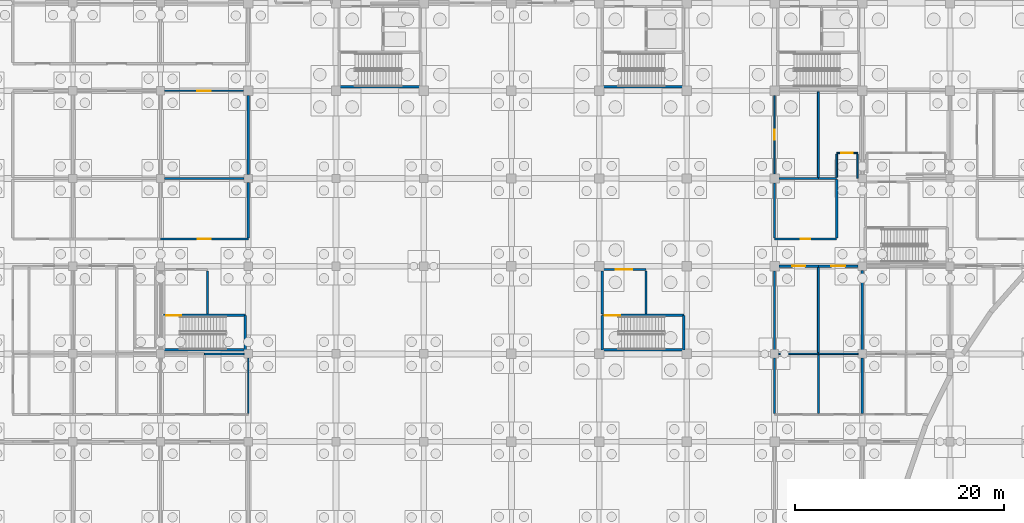
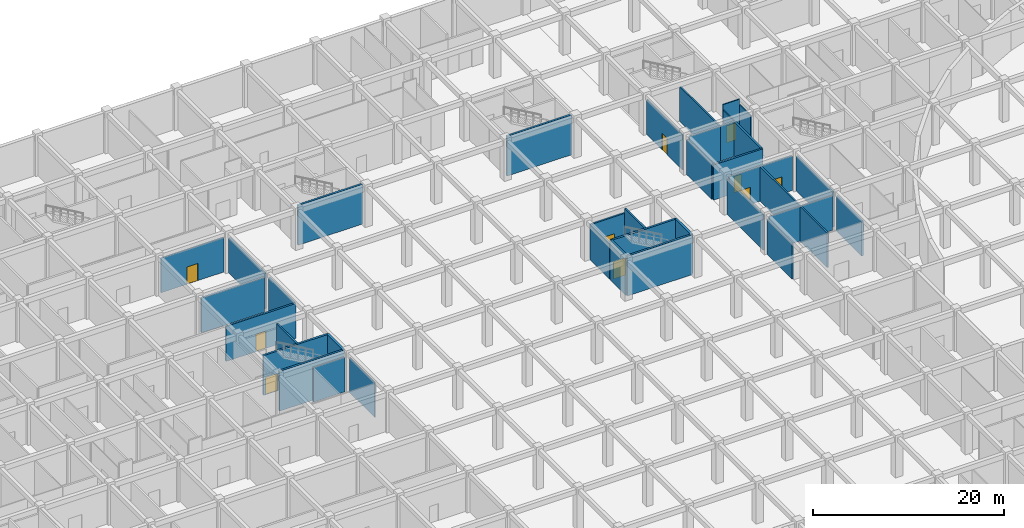
# One storey, part 41 of 65: 40 walls, 10 doors, 10 openings.
"""IFC4 building model written with IfcOpenShell, lengths in metres."""

import ifcopenshell
import ifcopenshell.guid

model = None  # the IFC model being written
_history = None  # IfcOwnerHistory: only IFC2X3 demands one
_inside = {}  # id of a spatial element -> (the spatial element, [elements in it])
_under = {}  # id of a project, library or spatial element -> (it, [spatial elements below it])
_declared = {}  # id of a project -> (the project, [libraries it declares])
_typed = {}  # id of a type object -> (the type object, [elements of that type])
_made_of = {}  # id of a material, layer set ... -> (it, [elements and type objects made of it])


def new_model(schema):
    """Start an empty IFC model of exactly this schema.

    Asked for "IFC4X3", IfcOpenShell would pick the latest addendum, in which some entities
    have other attributes; the version numbers below select the first issue.
    IFC2X3 requires an IfcOwnerHistory on every rooted entity: one is made here for all.
    """
    global model, _history
    if schema == "IFC4X3":
        model = ifcopenshell.file(schema_version=(4, 3, 0, 0))
    else:
        model = ifcopenshell.file(schema=schema)
    _inside.clear()
    _under.clear()
    _declared.clear()
    _typed.clear()
    _made_of.clear()
    _history = None
    if model.schema == "IFC2X3":
        org = make("IfcOrganization", Name="unknown")
        user = make(
            "IfcPersonAndOrganization",
            ThePerson=make("IfcPerson", FamilyName="unknown"),
            TheOrganization=org,
        )
        app = make(
            "IfcApplication",
            ApplicationDeveloper=org,
            Version="unknown",
            ApplicationFullName="unknown",
            ApplicationIdentifier="unknown",
        )
        _history = make(
            "IfcOwnerHistory",
            OwningUser=user,
            OwningApplication=app,
            ChangeAction="ADDED",
            CreationDate=0,
        )
    return model


def make(cls, **values):
    """One entity of the class cls with the attributes given. An attribute that is None is left unset."""
    return model.create_entity(
        cls, **{name: value for name, value in values.items() if value is not None}
    )


def rooted(cls, **values):
    """An entity with a GlobalId (a new one), such as an element, a storey or a relation."""
    return make(cls, GlobalId=ifcopenshell.guid.new(), OwnerHistory=_history, **values)


def si_unit(unit_type, name, prefix=None):
    """IfcSIUnit, for example si_unit("LENGTHUNIT", "METRE", prefix="MILLI")."""
    return make("IfcSIUnit", UnitType=unit_type, Prefix=prefix, Name=name)


def assignment(units):
    """IfcUnitAssignment: the units of a project."""
    return None if units is None else make("IfcUnitAssignment", Units=units)


def point(xyz):
    """IfcCartesianPoint."""
    return None if xyz is None else make("IfcCartesianPoint", Coordinates=xyz)


def direction(xyz):
    """IfcDirection."""
    return None if xyz is None else make("IfcDirection", DirectionRatios=xyz)


def frame(location, z_axis=None, x_axis=None):
    """IfcAxis2Placement3D, a coordinate frame: its origin and axes. An axis left out is left unset."""
    return make(
        "IfcAxis2Placement3D",
        Location=point(location),
        Axis=direction(z_axis),
        RefDirection=direction(x_axis),
    )


def frame_2d(location, x_axis=None):
    """IfcAxis2Placement2D, a coordinate frame in the plane: its origin and x axis."""
    return make(
        "IfcAxis2Placement2D", Location=point(location), RefDirection=direction(x_axis)
    )


def origin():
    """The frame at (0, 0, 0) with its axes left unset."""
    return frame((0.0, 0.0, 0.0))


def place(relative_to, where):
    """IfcLocalPlacement: puts the frame where relative to a parent placement (None: the world)."""
    return make(
        "IfcLocalPlacement", PlacementRelTo=relative_to, RelativePlacement=where
    )


def context(
    kind, dimensions, precision=None, world=None, true_north=None, identifier=None
):
    """IfcGeometricRepresentationContext, for example the 3D "Model" context."""
    return make(
        "IfcGeometricRepresentationContext",
        ContextIdentifier=identifier,
        ContextType=kind,
        CoordinateSpaceDimension=dimensions,
        Precision=precision,
        WorldCoordinateSystem=world,
        TrueNorth=true_north,
    )


def subcontext(parent, identifier, kind, view, scale=None):
    """IfcGeometricRepresentationSubContext, for example "Body" below "Model"."""
    return make(
        "IfcGeometricRepresentationSubContext",
        ContextIdentifier=identifier,
        ContextType=kind,
        ParentContext=parent,
        TargetScale=scale,
        TargetView=view,
    )


def project(units=None, contexts=None):
    """IfcProject with its units and contexts."""
    return rooted(
        "IfcProject",
        Name="project",
        RepresentationContexts=contexts,
        UnitsInContext=assignment(units),
    )


def spatial(cls, under=None, at=None, **own):
    """A site, building, storey or space (cls), placed at a placement, below another one or the project."""
    s = rooted(cls, ObjectPlacement=at, **own)
    if under is not None:
        _under.setdefault(under.id(), (under, []))[1].append(s)
    return s


def profile(cls, at=None, kind="AREA", **sizes):
    """A parametric profile (cls). Its sizes go by their IFC names, for example OverallWidth=200.0."""
    return make(cls, ProfileType=kind, Position=at, **sizes)


def rectangle(**sizes):
    """IfcRectangleProfileDef."""
    return profile("IfcRectangleProfileDef", **sizes)


def extrude(swept, where, along, depth):
    """IfcExtrudedAreaSolid: the profile swept, set in the frame where, extruded along a direction by depth."""
    return make(
        "IfcExtrudedAreaSolid",
        SweptArea=swept,
        Position=where,
        ExtrudedDirection=direction(along),
        Depth=depth,
    )


def shape(context_of_items, identifier, shape_type, items):
    """IfcShapeRepresentation: the items that make up one representation, for example the "Body"."""
    return make(
        "IfcShapeRepresentation",
        ContextOfItems=context_of_items,
        RepresentationIdentifier=identifier,
        RepresentationType=shape_type,
        Items=items,
    )


def material(Name=None, Category=None):
    """IfcMaterial."""
    return make("IfcMaterial", Name=Name, Category=Category)


def layer(
    of_material, thickness, ventilated=None, Name=None, Category=None, Priority=None
):
    """IfcMaterialLayer: one layer of a wall or slab, of a material (None: an air gap)."""
    return make(
        "IfcMaterialLayer",
        Material=of_material,
        LayerThickness=thickness,
        IsVentilated=ventilated,
        Name=Name,
        Category=Category,
        Priority=Priority,
    )


def layer_set(layers, Name=None):
    """IfcMaterialLayerSet."""
    return make("IfcMaterialLayerSet", MaterialLayers=layers, LayerSetName=Name)


def made_of(thing, what):
    """Note that an element or type object is made of a material, layer set ...; save() writes the relation."""
    if what is not None:
        _made_of.setdefault(what.id(), (what, []))[1].append(thing)
    return thing


def type_object(cls, material=None, **own):
    """A type object (cls), such as IfcWallType, which elements share."""
    return made_of(rooted(cls, **own), material)


def element(
    cls,
    number,
    at=None,
    inside=None,
    cuts=None,
    type_object=None,
    material=None,
    context=None,
    identifier="Body",
    shape_type=None,
    held_by="IfcProductDefinitionShape",
    body=None,
    shapes=None,
    **own,
):
    """One element of the class cls, such as IfcWall. Its Tag is "e" and its number.

    at: its placement. inside: the storey or other place that contains it. cuts: it is an
    opening in that element (IfcRelVoidsElement). A single representation is given by context,
    identifier, shape_type and body (its items); several are given by shapes. held_by: the class
    of the entity that holds the representations. save() writes the other relations.
    """
    e = rooted(cls, Tag="e%d" % number, ObjectPlacement=at, **own)
    if body is not None:
        shapes = [shape(context, identifier, shape_type, body)]
    if shapes is not None:
        e.Representation = make(held_by, Representations=shapes)
    if inside is not None:
        _inside.setdefault(inside.id(), (inside, []))[1].append(e)
    if cuts is not None:
        rooted(
            "IfcRelVoidsElement", RelatingBuildingElement=cuts, RelatedOpeningElement=e
        )
    if type_object is not None:
        _typed.setdefault(type_object.id(), (type_object, []))[1].append(e)
    return made_of(e, material)


def fill(opening, filler):
    """IfcRelFillsElement: the door or window that sits in an opening."""
    return rooted(
        "IfcRelFillsElement",
        RelatingOpeningElement=opening,
        RelatedBuildingElement=filler,
    )


def aggregate(whole, parts):
    """IfcRelAggregates: a whole, such as a stair, and the parts it consists of."""
    return rooted("IfcRelAggregates", RelatingObject=whole, RelatedObjects=parts)


def save(model, path):
    """Write the relations noted so far, then the file.

    IfcRelAggregates (storeys below a building ...), IfcRelContainedInSpatialStructure (elements
    in a storey), IfcRelDefinesByType, IfcRelAssociatesMaterial and IfcRelDeclares: one each for
    every whole, place, type object, material and project.
    """
    for whole, parts in _under.values():
        aggregate(whole, parts)
    for where, things in _inside.values():
        rooted(
            "IfcRelContainedInSpatialStructure",
            RelatedElements=things,
            RelatingStructure=where,
        )
    for kind, things in _typed.values():
        rooted("IfcRelDefinesByType", RelatedObjects=things, RelatingType=kind)
    for what, things in _made_of.values():
        rooted("IfcRelAssociatesMaterial", RelatedObjects=things, RelatingMaterial=what)
    for by, libraries in _declared.values():
        rooted("IfcRelDeclares", RelatingContext=by, RelatedDefinitions=libraries)
    model.write(path)


model = new_model("IFC4")

# Units and contexts
model_context = context("Model", 3, precision=1e-05, world=origin(), true_north=direction((0.0, 1.0)))
body_context = subcontext(model_context, "Body", "Model", "MODEL_VIEW")
ifc_project = project(units=[si_unit("LENGTHUNIT", "METRE"), si_unit("AREAUNIT", "SQUARE_METRE"), si_unit("VOLUMEUNIT", "CUBIC_METRE"), si_unit("PLANEANGLEUNIT", "RADIAN"), si_unit("MASSUNIT", "GRAM", prefix="KILO")], contexts=[model_context])

# Site, building, storey
site_placement = place(None, origin())
site = spatial("IfcSite", under=ifc_project, at=site_placement, CompositionType="ELEMENT")
building_placement = place(site_placement, origin())
building = spatial("IfcBuilding", under=site, at=building_placement, Name="Bramfleet General Hospital", CompositionType="ELEMENT")
storey_placement = place(building_placement, frame((0.0, 0.0, -5.39990234375)))
storey = spatial("IfcBuildingStorey", under=building, at=storey_placement, Name="B1", CompositionType="ELEMENT", Elevation=-5.39990234375)

# Wall, opening, door
ifc_material_1 = material(Name="Concrete C35/45", Category="concrete")
ifc_layer_1 = layer(ifc_material_1, 0.219970703125, Name="WT-IW-01")
ifc_layer_set_1 = layer_set([ifc_layer_1], Name="Concrete C35/45")
wall_type_1 = type_object("IfcWallType", Name="WT-IW-01", PredefinedType="PARTITIONING", material=ifc_layer_set_1)
wall_1_placement = place(storey_placement, frame((118.044921875, 75.60009765625, 0.0), z_axis=(0.0, 0.0, 1.0), x_axis=(1.0, 0.0, 0.0)))
wall_1 = element("IfcWall", 1, at=wall_1_placement, inside=storey, type_object=wall_type_1, Name="B1 Interior Partition IW-B1-0217", PredefinedType="PARTITIONING", context=body_context, shape_type="SweptSolid", body=[
    extrude(rectangle(XDim=3.755126953125, YDim=0.219970703125, at=frame_2d((1.87744140625, 0.0))), origin(), (0.0, 0.0, 1.0), 4.419921875),
])
opening_1_placement = place(wall_1_placement, frame((1.267578125, 0.0, 0.0)))
opening_1 = element("IfcOpeningElement", 2, at=opening_1_placement, cuts=wall_1, Name="Opening D0343", PredefinedType="OPENING", context=body_context, shape_type="SweptSolid", body=[
    extrude(rectangle(XDim=1.219970703125, YDim=2.179931640625, at=frame_2d((0.60986328125, 1.08984375))), frame((0.0, 0.119873046875, 0.0), z_axis=(0.0, -1.0, 0.0), x_axis=(1.0, 0.0, 0.0)), (0.0, 0.0, 1.0), 0.239990234375),
])
ifc_material_2 = material(Name="Stainless steel and acoustic timber leaf", Category="steel")
door_type_1 = type_object("IfcDoorType", Name="DR-D-23", OperationType="NOTDEFINED", PredefinedType="DOOR", material=ifc_material_2)
door_1_placement = place(opening_1_placement, origin())
door_1 = element("IfcDoor", 3, at=door_1_placement, inside=storey, type_object=door_type_1, Name="Clean Medical Supply Store B1-1408 Door D0343", OperationType="SINGLE_SWING_RIGHT", OverallHeight=2.179931640625, OverallWidth=1.219970703125, PredefinedType="DOOR", context=body_context, shape_type="SweptSolid", body=[
    extrude(rectangle(XDim=1.219970703125, YDim=2.179931640625, at=frame_2d((0.60986328125, 1.08984375))), frame((0.0, 0.02490234375, 0.0), z_axis=(0.0, -1.0, 0.0), x_axis=(1.0, 0.0, 0.0)), (0.0, 0.0, 1.0), 0.050048828125),
])
fill(opening_1, door_1)

wall_2_placement = place(storey_placement, frame((58.800048828125, 78.199951171875, 0.0), z_axis=(0.0, 0.0, 1.0), x_axis=(1.0, 0.0, 0.0)))
wall_2 = element("IfcWall", 4, at=wall_2_placement, inside=storey, type_object=wall_type_1, Name="B1 Interior Partition IW-B1-0230", PredefinedType="PARTITIONING", context=body_context, shape_type="SweptSolid", body=[
    extrude(rectangle(XDim=8.39990234375, YDim=0.219970703125, at=frame_2d((4.199951171875, 0.0))), origin(), (0.0, 0.0, 1.0), 4.469970703125),
])
opening_2_placement = place(wall_2_placement, frame((3.574951171875, 0.0, 0.0)))
opening_2 = element("IfcOpeningElement", 5, at=opening_2_placement, cuts=wall_2, Name="Opening D0302", PredefinedType="OPENING", context=body_context, shape_type="SweptSolid", body=[
    extrude(rectangle(XDim=1.25, YDim=2.199951171875, at=frame_2d((0.625, 1.10009765625))), frame((0.0, 0.119873046875, 0.0), z_axis=(0.0, -1.0, 0.0), x_axis=(1.0, 0.0, 0.0)), (0.0, 0.0, 1.0), 0.239990234375),
])
door_type_2 = type_object("IfcDoorType", Name="DR-D-14", OperationType="NOTDEFINED", PredefinedType="DOOR", material=ifc_material_2)
door_2_placement = place(opening_2_placement, origin())
door_2 = element("IfcDoor", 6, at=door_2_placement, inside=storey, type_object=door_type_2, Name="Central Sterile Supply Room B1-0709 Door D0302", OperationType="SINGLE_SWING_LEFT", OverallHeight=2.199951171875, OverallWidth=1.25, PredefinedType="DOOR", context=body_context, shape_type="SweptSolid", body=[
    extrude(rectangle(XDim=1.25, YDim=2.199951171875, at=frame_2d((0.625, 1.10009765625))), frame((0.0, 0.02490234375, 0.0), z_axis=(0.0, -1.0, 0.0), x_axis=(1.0, 0.0, 0.0)), (0.0, 0.0, 1.0), 0.050048828125),
])
fill(opening_2, door_2)

wall_3_placement = place(storey_placement, frame((117.60009765625, 78.199951171875, 0.0), z_axis=(0.0, 0.0, 1.0), x_axis=(1.0, 0.0, 0.0)))
wall_3 = element("IfcWall", 7, at=wall_3_placement, inside=storey, type_object=wall_type_1, Name="B1 Interior Partition IW-B1-0231", PredefinedType="PARTITIONING", context=body_context, shape_type="SweptSolid", body=[
    extrude(rectangle(XDim=5.949951171875, YDim=0.219970703125, at=frame_2d((2.97509765625, 0.0))), origin(), (0.0, 0.0, 1.0), 4.469970703125),
])
opening_3_placement = place(wall_3_placement, frame((2.514892578125, 0.0, 0.0)))
opening_3 = element("IfcOpeningElement", 8, at=opening_3_placement, cuts=wall_3, Name="Opening D0345", PredefinedType="OPENING", context=body_context, shape_type="SweptSolid", body=[
    extrude(rectangle(XDim=0.919921875, YDim=2.080078125, at=frame_2d((0.4599609375, 1.0400390625))), frame((0.0, 0.119873046875, 0.0), z_axis=(0.0, -1.0, 0.0), x_axis=(1.0, 0.0, 0.0)), (0.0, 0.0, 1.0), 0.239990234375),
])
door_type_3 = type_object("IfcDoorType", Name="DR-D-25", OperationType="NOTDEFINED", PredefinedType="DOOR", material=ifc_material_2)
door_3_placement = place(opening_3_placement, origin())
door_3 = element("IfcDoor", 9, at=door_3_placement, inside=storey, type_object=door_type_3, Name="Central Sterile Supply Room B1-1409 Door D0345", OperationType="SINGLE_SWING_RIGHT", OverallHeight=2.080078125, OverallWidth=0.919921875, PredefinedType="DOOR", context=body_context, shape_type="SweptSolid", body=[
    extrude(rectangle(XDim=0.919921875, YDim=2.080078125, at=frame_2d((0.4599609375, 1.0400390625))), frame((0.0, 0.02490234375, 0.0), z_axis=(0.0, -1.0, 0.0), x_axis=(1.0, 0.0, 0.0)), (0.0, 0.0, 1.0), 0.050048828125),
])
fill(opening_3, door_3)

# Walls
wall_4_placement = place(storey_placement, frame((59.195068359375, 84.0, 0.0), z_axis=(0.0, 0.0, 1.0), x_axis=(1.0, 0.0, 0.0)))
element("IfcWall", 10, at=wall_4_placement, inside=storey, type_object=wall_type_1, Name="B1 Interior Partition IW-B1-0241", PredefinedType="PARTITIONING", context=body_context, shape_type="SweptSolid", body=[
    extrude(rectangle(XDim=7.60986328125, YDim=0.219970703125, at=frame_2d((3.804931640625, 0.0))), origin(), (0.0, 0.0, 1.0), 4.419921875),
])
wall_5_placement = place(storey_placement, frame((118.044921875, 84.0, 0.0), z_axis=(0.0, 0.0, 1.0), x_axis=(1.0, 0.0, 0.0)))
element("IfcWall", 11, at=wall_5_placement, inside=storey, type_object=wall_type_1, Name="B1 Interior Partition IW-B1-0242", PredefinedType="PARTITIONING", context=body_context, shape_type="SweptSolid", body=[
    extrude(rectangle(XDim=3.755126953125, YDim=0.219970703125, at=frame_2d((1.87744140625, 0.0))), origin(), (0.0, 0.0, 1.0), 4.419921875),
])
wall_6_placement = place(storey_placement, frame((121.800048828125, 84.0, 0.0), z_axis=(0.0, 0.0, 1.0), x_axis=(1.0, 0.0, 0.0)))
element("IfcWall", 12, at=wall_6_placement, inside=storey, type_object=wall_type_1, Name="B1 Interior Partition IW-B1-0243", PredefinedType="PARTITIONING", context=body_context, shape_type="SweptSolid", body=[
    extrude(rectangle(XDim=1.75, YDim=0.219970703125, at=frame_2d((0.875, 0.0))), origin(), (0.0, 0.0, 1.0), 4.419921875),
])
wall_7_placement = place(storey_placement, frame((67.199951171875, 78.31494140625, 0.0), z_axis=(0.0, 0.0, 1.0), x_axis=(0.0, 1.0, 0.0)))
element("IfcWall", 13, at=wall_7_placement, inside=storey, type_object=wall_type_1, Name="B1 Interior Partition IW-B1-0480", PredefinedType="PARTITIONING", context=body_context, shape_type="SweptSolid", body=[
    extrude(rectangle(XDim=5.2900390625, YDim=0.219970703125, at=frame_2d((2.64501953125, 0.0))), origin(), (0.0, 0.0, 1.0), 4.469970703125),
])
wall_8_placement = place(storey_placement, frame((67.199951171875, 84.39501953125, 0.0), z_axis=(0.0, 0.0, 1.0), x_axis=(0.0, 1.0, 0.0)))
element("IfcWall", 14, at=wall_8_placement, inside=storey, type_object=wall_type_1, Name="B1 Interior Partition IW-B1-0481", PredefinedType="PARTITIONING", context=body_context, shape_type="SweptSolid", body=[
    extrude(rectangle(XDim=7.56005859375, YDim=0.219970703125, at=frame_2d((3.780029296875, 0.0))), origin(), (0.0, 0.0, 1.0), 4.469970703125),
])
wall_9_placement = place(storey_placement, frame((117.60009765625, 78.31494140625, 0.0), z_axis=(0.0, 0.0, 1.0), x_axis=(0.0, 1.0, 0.0)))
element("IfcWall", 15, at=wall_9_placement, inside=storey, type_object=wall_type_1, Name="B1 Interior Partition IW-B1-0523", PredefinedType="PARTITIONING", context=body_context, shape_type="SweptSolid", body=[
    extrude(rectangle(XDim=5.239990234375, YDim=0.219970703125, at=frame_2d((2.6201171875, 0.0))), origin(), (0.0, 0.0, 1.0), 4.469970703125),
])
wall_10_placement = place(storey_placement, frame((123.550048828125, 78.31494140625, 0.0), z_axis=(0.0, 0.0, 1.0), x_axis=(0.0, 1.0, 0.0)))
element("IfcWall", 16, at=wall_10_placement, inside=storey, type_object=wall_type_1, Name="B1 Interior Partition IW-B1-0533", PredefinedType="PARTITIONING", context=body_context, shape_type="SweptSolid", body=[
    extrude(rectangle(XDim=5.570068359375, YDim=0.219970703125, at=frame_2d((2.78515625, 0.0))), origin(), (0.0, 0.0, 1.0), 4.419921875),
])
wall_11_placement = place(storey_placement, frame((126.0, 61.514892578125, 0.0), z_axis=(0.0, 0.0, 1.0), x_axis=(0.0, 1.0, 0.0)))
element("IfcWall", 17, at=wall_11_placement, inside=storey, type_object=wall_type_1, Name="B1 Interior Partition IW-B1-0541", PredefinedType="PARTITIONING", context=body_context, shape_type="SweptSolid", body=[
    extrude(rectangle(XDim=5.2900390625, YDim=0.219970703125, at=frame_2d((2.64501953125, 0.0))), origin(), (0.0, 0.0, 1.0), 4.469970703125),
])
ifc_layer_2 = layer(ifc_material_1, 0.205078125, Name="WT-IW-02")
ifc_layer_set_2 = layer_set([ifc_layer_2], Name="Concrete C35/45")
wall_type_2 = type_object("IfcWallType", Name="WT-IW-02", PredefinedType="PARTITIONING", material=ifc_layer_set_2)
wall_12_placement = place(storey_placement, frame((105.280029296875, 71.0400390625, 0.0), z_axis=(0.0, 0.0, 1.0), x_axis=(0.0, 1.0, 0.0)))
element("IfcWall", 18, at=wall_12_placement, inside=storey, type_object=wall_type_2, Name="B1 C11 Lobby East Shaft Wall", PredefinedType="PARTITIONING", context=body_context, shape_type="SweptSolid", body=[
    extrude(rectangle(XDim=4.119873046875, YDim=0.205078125, at=frame_2d((2.06005859375, 0.0))), origin(), (0.0, 0.0, 1.0), 5.06982421875),
])
wall_13_placement = place(storey_placement, frame((101.10009765625, 71.0400390625, 0.0), z_axis=(0.0, 0.0, 1.0), x_axis=(0.0, 1.0, 0.0)))
element("IfcWall", 19, at=wall_13_placement, inside=storey, type_object=wall_type_2, Name="B1 C11 Lobby West Compartment Wall", PredefinedType="PARTITIONING", context=body_context, shape_type="SweptSolid", body=[
    extrude(rectangle(XDim=4.119873046875, YDim=0.205078125, at=frame_2d((2.06005859375, 0.0))), origin(), (0.0, 0.0, 1.0), 4.469970703125),
])

# Wall, opening, door
wall_14_placement = place(storey_placement, frame((101.10009765625, 75.280029296875, 0.0), z_axis=(0.0, 0.0, 1.0), x_axis=(1.0, 0.0, 0.0)))
wall_14 = element("IfcWall", 20, at=wall_14_placement, inside=storey, type_object=wall_type_2, Name="B1 C11 Lobby North Compartment Wall", PredefinedType="PARTITIONING", context=body_context, shape_type="SweptSolid", body=[
    extrude(rectangle(XDim=4.179931640625, YDim=0.205078125, at=frame_2d((2.08984375, 0.0))), origin(), (0.0, 0.0, 1.0), 4.419921875),
])
opening_4_placement = place(wall_14_placement, frame((1.2900390625, 0.0, 0.0)))
opening_4 = element("IfcOpeningElement", 21, at=opening_4_placement, cuts=wall_14, Name="Opening D0138", PredefinedType="OPENING", context=body_context, shape_type="SweptSolid", body=[
    extrude(rectangle(XDim=1.60009765625, YDim=2.25, at=frame_2d((0.800048828125, 1.125))), frame((0.0, 0.112548828125, 0.0), z_axis=(0.0, -1.0, 0.0), x_axis=(1.0, 0.0, 0.0)), (0.0, 0.0, 1.0), 0.22509765625),
])
door_type_4 = type_object("IfcDoorType", Name="DR-D-04", OperationType="NOTDEFINED", PredefinedType="DOOR", material=ifc_material_2)
door_4_placement = place(opening_4_placement, origin())
door_4 = element("IfcDoor", 22, at=door_4_placement, inside=storey, type_object=door_type_4, Name="B1 C11 Lobby Fire Door D0138", OperationType="DOUBLE_SWING_LEFT", OverallHeight=2.25, OverallWidth=1.60009765625, PredefinedType="DOOR", context=body_context, shape_type="SweptSolid", body=[
    extrude(rectangle(XDim=1.60009765625, YDim=2.25, at=frame_2d((0.800048828125, 1.125))), frame((0.0, 0.02490234375, 0.0), z_axis=(0.0, -1.0, 0.0), x_axis=(1.0, 0.0, 0.0)), (0.0, 0.0, 1.0), 0.050048828125),
])
fill(opening_4, door_4)

# Wall
wall_15_placement = place(storey_placement, frame((63.280029296875, 71.0400390625, 0.0), z_axis=(0.0, 0.0, 1.0), x_axis=(0.0, 1.0, 0.0)))
element("IfcWall", 23, at=wall_15_placement, inside=storey, type_object=wall_type_2, Name="B1 C13 Lobby East Shaft Wall", PredefinedType="PARTITIONING", context=body_context, shape_type="SweptSolid", body=[
    extrude(rectangle(XDim=4.119873046875, YDim=0.205078125, at=frame_2d((2.06005859375, 0.0))), origin(), (0.0, 0.0, 1.0), 5.06982421875),
])

# Wall, opening, door
wall_16_placement = place(storey_placement, frame((121.800048828125, 75.60009765625, 0.0), z_axis=(0.0, 0.0, 1.0), x_axis=(1.0, 0.0, 0.0)))
wall_16 = element("IfcWall", 24, at=wall_16_placement, inside=storey, type_object=wall_type_2, Name="B1 Interior Partition IW-B1-0218", PredefinedType="PARTITIONING", context=body_context, shape_type="SweptSolid", body=[
    extrude(rectangle(XDim=3.804931640625, YDim=0.205078125, at=frame_2d((1.90234375, 0.0))), origin(), (0.0, 0.0, 1.0), 4.419921875),
])
opening_5_placement = place(wall_16_placement, frame((1.242431640625, 0.0, 0.0)))
opening_5 = element("IfcOpeningElement", 25, at=opening_5_placement, cuts=wall_16, Name="Opening D0344", PredefinedType="OPENING", context=body_context, shape_type="SweptSolid", body=[
    extrude(rectangle(XDim=1.320068359375, YDim=2.179931640625, at=frame_2d((0.66015625, 1.08984375))), frame((0.0, 0.112548828125, 0.0), z_axis=(0.0, -1.0, 0.0), x_axis=(1.0, 0.0, 0.0)), (0.0, 0.0, 1.0), 0.22509765625),
])
door_type_5 = type_object("IfcDoorType", Name="DR-D-24", OperationType="NOTDEFINED", PredefinedType="DOOR", material=ifc_material_2)
door_5_placement = place(opening_5_placement, origin())
door_5 = element("IfcDoor", 26, at=door_5_placement, inside=storey, type_object=door_type_5, Name="Clinical Engineering Workshop B1-1408 Door D0344", OperationType="SINGLE_SWING_LEFT", OverallHeight=2.179931640625, OverallWidth=1.320068359375, PredefinedType="DOOR", context=body_context, shape_type="SweptSolid", body=[
    extrude(rectangle(XDim=1.320068359375, YDim=2.179931640625, at=frame_2d((0.66015625, 1.08984375))), frame((0.0, 0.02490234375, 0.0), z_axis=(0.0, -1.0, 0.0), x_axis=(1.0, 0.0, 0.0)), (0.0, 0.0, 1.0), 0.050048828125),
])
fill(opening_5, door_5)

# Walls
wall_17_placement = place(storey_placement, frame((121.800048828125, 61.514892578125, 0.0), z_axis=(0.0, 0.0, 1.0), x_axis=(0.0, 1.0, 0.0)))
element("IfcWall", 27, at=wall_17_placement, inside=storey, type_object=wall_type_2, Name="B1 Interior Partition IW-B1-0530", PredefinedType="PARTITIONING", context=body_context, shape_type="SweptSolid", body=[
    extrude(rectangle(XDim=5.570068359375, YDim=0.205078125, at=frame_2d((2.78515625, 0.0))), origin(), (0.0, 0.0, 1.0), 4.419921875),
])
wall_18_placement = place(storey_placement, frame((126.0, 67.594970703125, 0.0), z_axis=(0.0, 0.0, 1.0), x_axis=(0.0, 1.0, 0.0)))
element("IfcWall", 28, at=wall_18_placement, inside=storey, type_object=wall_type_2, Name="B1 Interior Partition IW-B1-0542", PredefinedType="PARTITIONING", context=body_context, shape_type="SweptSolid", body=[
    extrude(rectangle(XDim=7.610107421875, YDim=0.205078125, at=frame_2d((3.80517578125, 0.0))), origin(), (0.0, 0.0, 1.0), 4.469970703125),
])
ifc_layer_3 = layer(ifc_material_1, 0.18994140625, Name="WT-IW-03")
ifc_layer_set_3 = layer_set([ifc_layer_3], Name="Concrete C35/45")
wall_type_3 = type_object("IfcWallType", Name="WT-IW-03", PredefinedType="PARTITIONING", material=ifc_layer_set_3)
wall_19_placement = place(storey_placement, frame((121.800048828125, 67.31494140625, 0.0), z_axis=(0.0, 0.0, 1.0), x_axis=(0.0, 1.0, 0.0)))
element("IfcWall", 29, at=wall_19_placement, inside=storey, type_object=wall_type_3, Name="B1 Interior Partition IW-B1-0531", PredefinedType="PARTITIONING", context=body_context, shape_type="SweptSolid", body=[
    extrude(rectangle(XDim=8.170166015625, YDim=0.18994140625, at=frame_2d((4.0849609375, 0.0))), origin(), (0.0, 0.0, 1.0), 4.419921875),
])
ifc_layer_4 = layer(ifc_material_1, 0.179931640625, Name="WT-IW-04")
ifc_layer_set_4 = layer_set([ifc_layer_4], Name="Concrete C35/45")
wall_type_4 = type_object("IfcWallType", Name="WT-IW-04", PredefinedType="PARTITIONING", material=ifc_layer_set_4)
wall_20_placement = place(storey_placement, frame((121.800048828125, 84.114990234375, 0.0), z_axis=(0.0, 0.0, 1.0), x_axis=(0.0, 1.0, 0.0)))
element("IfcWall", 30, at=wall_20_placement, inside=storey, type_object=wall_type_4, Name="B1 Interior Partition IW-B1-0532", PredefinedType="PARTITIONING", context=body_context, shape_type="SweptSolid", body=[
    extrude(rectangle(XDim=8.169921875, YDim=0.179931640625, at=frame_2d((4.0849609375, 0.0))), origin(), (0.0, 0.0, 1.0), 4.419921875),
])
ifc_material_3 = material(Name="Gypsum plasterboard on acoustic steel studs", Category="steel")
ifc_layer_5 = layer(ifc_material_3, 0.169921875, Name="WT-IW-05")
ifc_layer_set_5 = layer_set([ifc_layer_5], Name="Gypsum plasterboard on acoustic steel studs")
wall_type_5 = type_object("IfcWallType", Name="WT-IW-05", PredefinedType="PARTITIONING", material=ifc_layer_set_5)
wall_21_placement = place(storey_placement, frame((63.0, 67.199951171875, 0.0), z_axis=(0.0, 0.0, 1.0), x_axis=(1.0, 0.0, 0.0)))
element("IfcWall", 31, at=wall_21_placement, inside=storey, type_object=wall_type_5, Name="B1 Interior Partition IW-B1-0197", PredefinedType="PARTITIONING", context=body_context, shape_type="SweptSolid", body=[
    extrude(rectangle(XDim=3.804931640625, YDim=0.169921875, at=frame_2d((1.90234375, 0.0))), origin(), (0.0, 0.0, 1.0), 4.419921875),
])
wall_22_placement = place(storey_placement, frame((117.60009765625, 61.514892578125, 0.0), z_axis=(0.0, 0.0, 1.0), x_axis=(0.0, 1.0, 0.0)))
element("IfcWall", 32, at=wall_22_placement, inside=storey, type_object=wall_type_5, Name="B1 Interior Partition IW-B1-0521", PredefinedType="PARTITIONING", context=body_context, shape_type="SweptSolid", body=[
    extrude(rectangle(XDim=5.2900390625, YDim=0.169921875, at=frame_2d((2.64501953125, 0.0))), origin(), (0.0, 0.0, 1.0), 4.469970703125),
])
ifc_layer_6 = layer(ifc_material_3, 0.159912109375, Name="WT-IW-06")
ifc_layer_set_6 = layer_set([ifc_layer_6], Name="Gypsum plasterboard on acoustic steel studs")
wall_type_6 = type_object("IfcWallType", Name="WT-IW-06", PredefinedType="PARTITIONING", material=ifc_layer_set_6)
wall_23_placement = place(storey_placement, frame((117.9951171875, 67.199951171875, 0.0), z_axis=(0.0, 0.0, 1.0), x_axis=(1.0, 0.0, 0.0)))
element("IfcWall", 33, at=wall_23_placement, inside=storey, type_object=wall_type_6, Name="B1 Interior Partition IW-B1-0198", PredefinedType="PARTITIONING", context=body_context, shape_type="SweptSolid", body=[
    extrude(rectangle(XDim=3.804931640625, YDim=0.159912109375, at=frame_2d((1.90234375, 0.0))), origin(), (0.0, 0.0, 1.0), 4.419921875),
])
wall_24_placement = place(storey_placement, frame((117.60009765625, 67.594970703125, 0.0), z_axis=(0.0, 0.0, 1.0), x_axis=(0.0, 1.0, 0.0)))
element("IfcWall", 34, at=wall_24_placement, inside=storey, type_object=wall_type_6, Name="B1 Interior Partition IW-B1-0522", PredefinedType="PARTITIONING", context=body_context, shape_type="SweptSolid", body=[
    extrude(rectangle(XDim=7.56005859375, YDim=0.159912109375, at=frame_2d((3.780029296875, 0.0))), origin(), (0.0, 0.0, 1.0), 4.469970703125),
])
wall_25_placement = place(storey_placement, frame((123.550048828125, 84.114990234375, 0.0), z_axis=(0.0, 0.0, 1.0), x_axis=(0.0, 1.0, 0.0)))
element("IfcWall", 35, at=wall_25_placement, inside=storey, type_object=wall_type_6, Name="B1 Interior Partition IW-B1-0534", PredefinedType="PARTITIONING", context=body_context, shape_type="SweptSolid", body=[
    extrude(rectangle(XDim=2.219970703125, YDim=0.159912109375, at=frame_2d((1.10986328125, 0.0))), origin(), (0.0, 0.0, 1.0), 4.419921875),
])
ifc_layer_7 = layer(ifc_material_3, 0.14990234375, Name="WT-IW-07")
ifc_layer_set_7 = layer_set([ifc_layer_7], Name="Gypsum plasterboard on acoustic steel studs")
wall_type_7 = type_object("IfcWallType", Name="WT-IW-07", PredefinedType="PARTITIONING", material=ifc_layer_set_7)
wall_26_placement = place(storey_placement, frame((121.800048828125, 67.199951171875, 0.0), z_axis=(0.0, 0.0, 1.0), x_axis=(1.0, 0.0, 0.0)))
element("IfcWall", 36, at=wall_26_placement, inside=storey, type_object=wall_type_7, Name="B1 Interior Partition IW-B1-0199", PredefinedType="PARTITIONING", context=body_context, shape_type="SweptSolid", body=[
    extrude(rectangle(XDim=3.804931640625, YDim=0.14990234375, at=frame_2d((1.90234375, 0.0))), origin(), (0.0, 0.0, 1.0), 4.419921875),
])
wall_27_placement = place(storey_placement, frame((125.550048828125, 84.0, 0.0), z_axis=(0.0, 0.0, 1.0), x_axis=(0.0, 1.0, 0.0)))
element("IfcWall", 37, at=wall_27_placement, inside=storey, type_object=wall_type_7, Name="B1 Interior Partition IW-B1-0535", PredefinedType="PARTITIONING", context=body_context, shape_type="SweptSolid", body=[
    extrude(rectangle(XDim=2.3349609375, YDim=0.14990234375, at=frame_2d((1.16748046875, 0.0))), origin(), (0.0, 0.0, 1.0), 4.419921875),
])

# Wall, opening, door
ifc_layer_8 = layer(ifc_material_3, 0.139892578125, Name="WT-IW-08")
ifc_layer_set_8 = layer_set([ifc_layer_8], Name="Gypsum plasterboard on acoustic steel studs")
wall_type_8 = type_object("IfcWallType", Name="WT-IW-08", PredefinedType="PARTITIONING", material=ifc_layer_set_8)
wall_28_placement = place(storey_placement, frame((59.195068359375, 92.39990234375, 0.0), z_axis=(0.0, 0.0, 1.0), x_axis=(1.0, 0.0, 0.0)))
wall_28 = element("IfcWall", 38, at=wall_28_placement, inside=storey, type_object=wall_type_8, Name="B1 Interior Partition IW-B1-0260", PredefinedType="PARTITIONING", context=body_context, shape_type="SweptSolid", body=[
    extrude(rectangle(XDim=7.559814453125, YDim=0.139892578125, at=frame_2d((3.77978515625, 0.0))), origin(), (0.0, 0.0, 1.0), 4.419921875),
])
opening_6_placement = place(wall_28_placement, frame((3.1298828125, 0.0, 0.0)))
opening_6 = element("IfcOpeningElement", 39, at=opening_6_placement, cuts=wall_28, Name="Opening D0303", PredefinedType="OPENING", context=body_context, shape_type="SweptSolid", body=[
    extrude(rectangle(XDim=1.300048828125, YDim=2.199951171875, at=frame_2d((0.64990234375, 1.10009765625))), frame((0.0, 0.079833984375, 0.0), z_axis=(0.0, -1.0, 0.0), x_axis=(1.0, 0.0, 0.0)), (0.0, 0.0, 1.0), 0.159912109375),
])
door_type_6 = type_object("IfcDoorType", Name="DR-D-15", OperationType="NOTDEFINED", PredefinedType="DOOR", material=ifc_material_2)
door_6_placement = place(opening_6_placement, origin())
door_6 = element("IfcDoor", 40, at=door_6_placement, inside=storey, type_object=door_type_6, Name="Pharmacy Compact Storage and Medical Archive B1-0710 Door D0303", OperationType="SINGLE_SWING_RIGHT", OverallHeight=2.199951171875, OverallWidth=1.300048828125, PredefinedType="DOOR", context=body_context, shape_type="SweptSolid", body=[
    extrude(rectangle(XDim=1.300048828125, YDim=2.199951171875, at=frame_2d((0.64990234375, 1.10009765625))), frame((0.0, 0.02490234375, 0.0), z_axis=(0.0, -1.0, 0.0), x_axis=(1.0, 0.0, 0.0)), (0.0, 0.0, 1.0), 0.050048828125),
])
fill(opening_6, door_6)

wall_29_placement = place(storey_placement, frame((117.60009765625, 84.445068359375, 0.0), z_axis=(0.0, 0.0, 1.0), x_axis=(0.0, 1.0, 0.0)))
wall_29 = element("IfcWall", 41, at=wall_29_placement, inside=storey, type_object=wall_type_8, Name="B1 Interior Partition IW-B1-0524", PredefinedType="PARTITIONING", context=body_context, shape_type="SweptSolid", body=[
    extrude(rectangle(XDim=7.510009765625, YDim=0.139892578125, at=frame_2d((3.7548828125, 0.0))), origin(), (0.0, 0.0, 1.0), 4.469970703125),
])
opening_7_placement = place(wall_29_placement, frame((3.264892578125, 0.0, 0.0)))
opening_7 = element("IfcOpeningElement", 42, at=opening_7_placement, cuts=wall_29, Name="Opening D0346", PredefinedType="OPENING", context=body_context, shape_type="SweptSolid", body=[
    extrude(rectangle(XDim=0.97998046875, YDim=2.1201171875, at=frame_2d((0.489990234375, 1.06005859375))), frame((0.0, 0.079833984375, 0.0), z_axis=(0.0, -1.0, 0.0), x_axis=(1.0, 0.0, 0.0)), (0.0, 0.0, 1.0), 0.159912109375),
])
door_type_7 = type_object("IfcDoorType", Name="DR-D-26", OperationType="NOTDEFINED", PredefinedType="DOOR", material=ifc_material_2)
door_7_placement = place(opening_7_placement, origin())
door_7 = element("IfcDoor", 43, at=door_7_placement, inside=storey, type_object=door_type_7, Name="Clean Medical Supply Store B1-1410 Door D0346", OperationType="SINGLE_SWING_LEFT", OverallHeight=2.1201171875, OverallWidth=0.97998046875, PredefinedType="DOOR", context=body_context, shape_type="SweptSolid", body=[
    extrude(rectangle(XDim=0.97998046875, YDim=2.1201171875, at=frame_2d((0.489990234375, 1.06005859375))), frame((0.0, 0.02490234375, 0.0), z_axis=(0.0, -1.0, 0.0), x_axis=(1.0, 0.0, 0.0)), (0.0, 0.0, 1.0), 0.050048828125),
])
fill(opening_7, door_7)

ifc_layer_9 = layer(ifc_material_3, 0.1201171875, Name="WT-IW-10")
ifc_layer_set_9 = layer_set([ifc_layer_9], Name="Gypsum plasterboard on acoustic steel studs")
wall_type_9 = type_object("IfcWallType", Name="WT-IW-10", PredefinedType="PARTITIONING", material=ifc_layer_set_9)
wall_30_placement = place(storey_placement, frame((123.550048828125, 86.449951171875, 0.0), z_axis=(0.0, 0.0, 1.0), x_axis=(1.0, 0.0, 0.0)))
wall_30 = element("IfcWall", 44, at=wall_30_placement, inside=storey, type_object=wall_type_9, Name="B1 Interior Partition IW-B1-0250", PredefinedType="PARTITIONING", context=body_context, shape_type="SweptSolid", body=[
    extrude(rectangle(XDim=2.0, YDim=0.1201171875, at=frame_2d((1.0, 0.0))), origin(), (0.0, 0.0, 1.0), 5.06982421875),
])
opening_8_placement = place(wall_30_placement, frame((0.43994140625, 0.0, 0.0)))
opening_8 = element("IfcOpeningElement", 45, at=opening_8_placement, cuts=wall_30, Name="Opening D0347", PredefinedType="OPENING", context=body_context, shape_type="SweptSolid", body=[
    extrude(rectangle(XDim=1.1201171875, YDim=2.179931640625, at=frame_2d((0.56005859375, 1.08984375))), frame((0.0, 0.070068359375, 0.0), z_axis=(0.0, -1.0, 0.0), x_axis=(1.0, 0.0, 0.0)), (0.0, 0.0, 1.0), 0.14013671875),
])
door_type_8 = type_object("IfcDoorType", Name="DR-D-27", OperationType="NOTDEFINED", PredefinedType="DOOR", material=ifc_material_2)
door_8_placement = place(opening_8_placement, origin())
door_8 = element("IfcDoor", 46, at=door_8_placement, inside=storey, type_object=door_type_8, Name="Clinical Engineering Workshop B1-1410 Door D0347", OperationType="SINGLE_SWING_RIGHT", OverallHeight=2.179931640625, OverallWidth=1.1201171875, PredefinedType="DOOR", context=body_context, shape_type="SweptSolid", body=[
    extrude(rectangle(XDim=1.1201171875, YDim=2.179931640625, at=frame_2d((0.56005859375, 1.08984375))), frame((0.0, 0.02490234375, 0.0), z_axis=(0.0, -1.0, 0.0), x_axis=(1.0, 0.0, 0.0)), (0.0, 0.0, 1.0), 0.050048828125),
])
fill(opening_8, door_8)

# Walls
ifc_layer_10 = layer(ifc_material_3, 0.112060546875, Name="WT-IW-11")
ifc_layer_set_10 = layer_set([ifc_layer_10], Name="Gypsum plasterboard on acoustic steel studs")
wall_type_10 = type_object("IfcWallType", Name="WT-IW-11", PredefinedType="PARTITIONING", material=ifc_layer_set_10)
wall_31_placement = place(storey_placement, frame((67.199951171875, 61.514892578125, 0.0), z_axis=(0.0, 0.0, 1.0), x_axis=(0.0, 1.0, 0.0)))
element("IfcWall", 47, at=wall_31_placement, inside=storey, type_object=wall_type_10, Name="B1 Interior Partition IW-B1-0479", PredefinedType="PARTITIONING", context=body_context, shape_type="SweptSolid", body=[
    extrude(rectangle(XDim=5.2900390625, YDim=0.112060546875, at=frame_2d((2.64501953125, 0.0))), origin(), (0.0, 0.0, 1.0), 4.469970703125),
])
ifc_material_4 = material(Name="Concrete C40/50", Category="concrete")
ifc_layer_11 = layer(ifc_material_4, 0.239990234375, Name="WT-SW-240")
ifc_layer_set_11 = layer_set([ifc_layer_11], Name="Concrete C40/50")
wall_type_11 = type_object("IfcWallType", Name="WT-SW-240", PredefinedType="SHEAR", material=ifc_layer_set_11)
wall_32_placement = place(storey_placement, frame((101.10009765625, 92.780029296875, 0.0), z_axis=(0.0, 0.0, 1.0), x_axis=(1.0, 0.0, 0.0)))
element("IfcWall", 48, at=wall_32_placement, inside=storey, type_object=wall_type_11, Name="B1 C4 South Stair Shear Wall", PredefinedType="SHEAR", context=body_context, shape_type="SweptSolid", body=[
    extrude(rectangle(XDim=7.81982421875, YDim=0.239990234375, at=frame_2d((3.909912109375, 0.0))), origin(), (0.0, 0.0, 1.0), 5.079833984375),
])
wall_33_placement = place(storey_placement, frame((75.89990234375, 92.780029296875, 0.0), z_axis=(0.0, 0.0, 1.0), x_axis=(1.0, 0.0, 0.0)))
element("IfcWall", 49, at=wall_33_placement, inside=storey, type_object=wall_type_11, Name="B1 C5 South Stair Shear Wall", PredefinedType="SHEAR", context=body_context, shape_type="SweptSolid", body=[
    extrude(rectangle(XDim=7.820068359375, YDim=0.239990234375, at=frame_2d((3.91015625, 0.0))), origin(), (0.0, 0.0, 1.0), 5.079833984375),
])
wall_34_placement = place(storey_placement, frame((101.10009765625, 67.580078125, 0.0), z_axis=(0.0, 0.0, 1.0), x_axis=(1.0, 0.0, 0.0)))
element("IfcWall", 50, at=wall_34_placement, inside=storey, type_object=wall_type_11, Name="B1 C11 South Stair Shear Wall", PredefinedType="SHEAR", context=body_context, shape_type="SweptSolid", body=[
    extrude(rectangle(XDim=7.81982421875, YDim=0.239990234375, at=frame_2d((3.909912109375, 0.0))), origin(), (0.0, 0.0, 1.0), 5.079833984375),
])
for number, where, z_axis, x_axis, name in (
    (51, (101.10009765625, 67.580078125, 0.0), (0.0, 0.0, 1.0), (0.0, 1.0, 0.0), "B1 C11 West Stair Shear Wall"),
    (52, (108.919921875, 67.580078125, 0.0), (0.0, 0.0, 1.0), (0.0, 1.0, 0.0), "B1 C11 East Stair Shear Wall"),
):
    element("IfcWall", number, at=place(storey_placement, frame(where, z_axis=z_axis, x_axis=x_axis)), inside=storey, type_object=wall_type_11, Name=name, PredefinedType="SHEAR", context=body_context, shape_type="SweptSolid", body=[
        extrude(rectangle(XDim=3.31982421875, YDim=0.239990234375, at=frame_2d((1.659912109375, 0.0))), origin(), (0.0, 0.0, 1.0), 5.079833984375),
    ])

# Wall, opening, door
wall_35_placement = place(storey_placement, frame((101.10009765625, 70.89990234375, 0.0), z_axis=(0.0, 0.0, 1.0), x_axis=(1.0, 0.0, 0.0)))
wall_35 = element("IfcWall", 53, at=wall_35_placement, inside=storey, type_object=wall_type_11, Name="B1 C11 Stair-Lobby Shear Wall", PredefinedType="SHEAR", context=body_context, shape_type="SweptSolid", body=[
    extrude(rectangle(XDim=7.81982421875, YDim=0.239990234375, at=frame_2d((3.909912109375, 0.0))), origin(), (0.0, 0.0, 1.0), 5.079833984375),
])
opening_9_placement = place(wall_35_placement, frame((0.25, 0.0, 0.0)))
opening_9 = element("IfcOpeningElement", 54, at=opening_9_placement, cuts=wall_35, Name="Opening D0137", PredefinedType="OPENING", context=body_context, shape_type="SweptSolid", body=[
    extrude(rectangle(XDim=1.449951171875, YDim=2.199951171875, at=frame_2d((0.72509765625, 1.10009765625))), frame((0.0, 0.1298828125, 0.0), z_axis=(0.0, -1.0, 0.0), x_axis=(1.0, 0.0, 0.0)), (0.0, 0.0, 1.0), 0.260009765625),
])
door_type_9 = type_object("IfcDoorType", Name="DR-D-03", OperationType="NOTDEFINED", PredefinedType="DOOR", material=ifc_material_2)
door_9_placement = place(opening_9_placement, origin())
door_9 = element("IfcDoor", 55, at=door_9_placement, inside=storey, type_object=door_type_9, Name="B1 C11 Escape Stair Fire Door D0137", OperationType="SINGLE_SWING_RIGHT", OverallHeight=2.199951171875, OverallWidth=1.449951171875, PredefinedType="DOOR", context=body_context, shape_type="SweptSolid", body=[
    extrude(rectangle(XDim=1.449951171875, YDim=2.199951171875, at=frame_2d((0.72509765625, 1.10009765625))), frame((0.0, 0.02490234375, 0.0), z_axis=(0.0, -1.0, 0.0), x_axis=(1.0, 0.0, 0.0)), (0.0, 0.0, 1.0), 0.050048828125),
])
fill(opening_9, door_9)

# Walls
wall_36_placement = place(storey_placement, frame((59.10009765625, 67.580078125, 0.0), z_axis=(0.0, 0.0, 1.0), x_axis=(1.0, 0.0, 0.0)))
element("IfcWall", 56, at=wall_36_placement, inside=storey, type_object=wall_type_11, Name="B1 C13 South Stair Shear Wall", PredefinedType="SHEAR", context=body_context, shape_type="SweptSolid", body=[
    extrude(rectangle(XDim=7.81982421875, YDim=0.239990234375, at=frame_2d((3.909912109375, 0.0))), origin(), (0.0, 0.0, 1.0), 5.079833984375),
])
wall_37_placement = place(storey_placement, frame((66.919921875, 67.580078125, 0.0), z_axis=(0.0, 0.0, 1.0), x_axis=(0.0, 1.0, 0.0)))
element("IfcWall", 57, at=wall_37_placement, inside=storey, type_object=wall_type_11, Name="B1 C13 East Stair Shear Wall", PredefinedType="SHEAR", context=body_context, shape_type="SweptSolid", body=[
    extrude(rectangle(XDim=3.31982421875, YDim=0.239990234375, at=frame_2d((1.659912109375, 0.0))), origin(), (0.0, 0.0, 1.0), 5.079833984375),
])

# Wall, opening, door
wall_38_placement = place(storey_placement, frame((59.10009765625, 70.89990234375, 0.0), z_axis=(0.0, 0.0, 1.0), x_axis=(1.0, 0.0, 0.0)))
wall_38 = element("IfcWall", 58, at=wall_38_placement, inside=storey, type_object=wall_type_11, Name="B1 C13 Stair-Lobby Shear Wall", PredefinedType="SHEAR", context=body_context, shape_type="SweptSolid", body=[
    extrude(rectangle(XDim=7.81982421875, YDim=0.239990234375, at=frame_2d((3.909912109375, 0.0))), origin(), (0.0, 0.0, 1.0), 5.079833984375),
])
opening_10_placement = place(wall_38_placement, frame((0.25, 0.0, 0.0)))
opening_10 = element("IfcOpeningElement", 59, at=opening_10_placement, cuts=wall_38, Name="Opening D0165", PredefinedType="OPENING", context=body_context, shape_type="SweptSolid", body=[
    extrude(rectangle(XDim=1.449951171875, YDim=2.199951171875, at=frame_2d((0.72509765625, 1.10009765625))), frame((0.0, 0.1298828125, 0.0), z_axis=(0.0, -1.0, 0.0), x_axis=(1.0, 0.0, 0.0)), (0.0, 0.0, 1.0), 0.260009765625),
])
door_10_placement = place(opening_10_placement, origin())
door_10 = element("IfcDoor", 60, at=door_10_placement, inside=storey, type_object=door_type_9, Name="B1 C13 Escape Stair Fire Door D0165", OperationType="SINGLE_SWING_RIGHT", OverallHeight=2.199951171875, OverallWidth=1.449951171875, PredefinedType="DOOR", context=body_context, shape_type="SweptSolid", body=[
    extrude(rectangle(XDim=1.449951171875, YDim=2.199951171875, at=frame_2d((0.72509765625, 1.10009765625))), frame((0.0, 0.02490234375, 0.0), z_axis=(0.0, -1.0, 0.0), x_axis=(1.0, 0.0, 0.0)), (0.0, 0.0, 1.0), 0.050048828125),
])
fill(opening_10, door_10)

save(model, "model.ifc")
